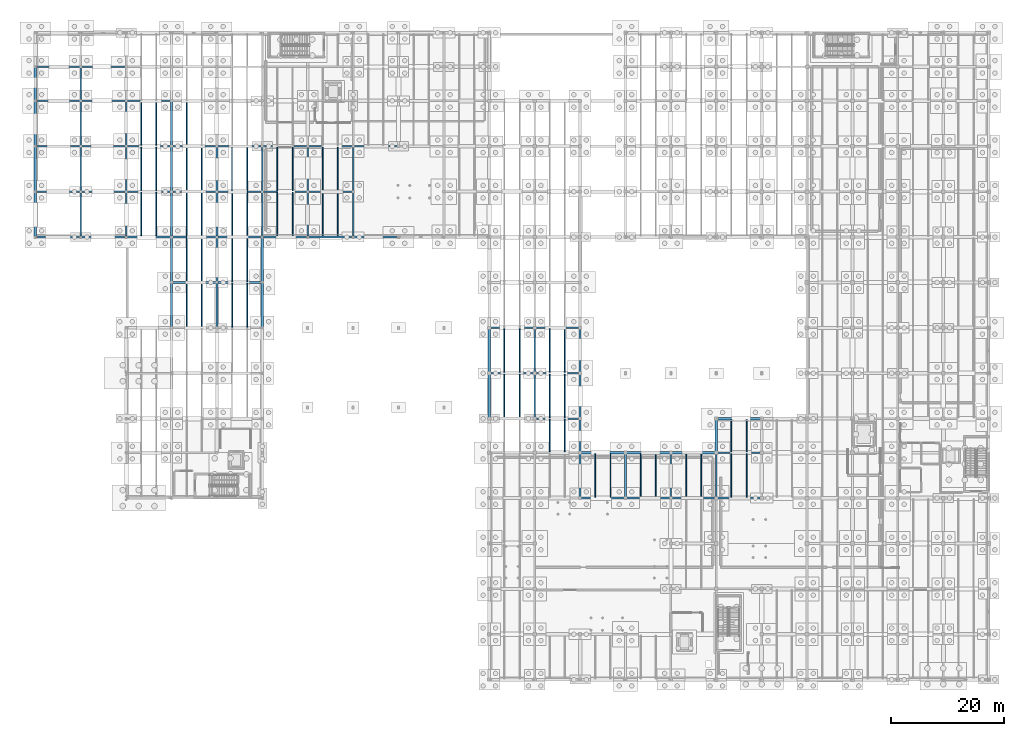
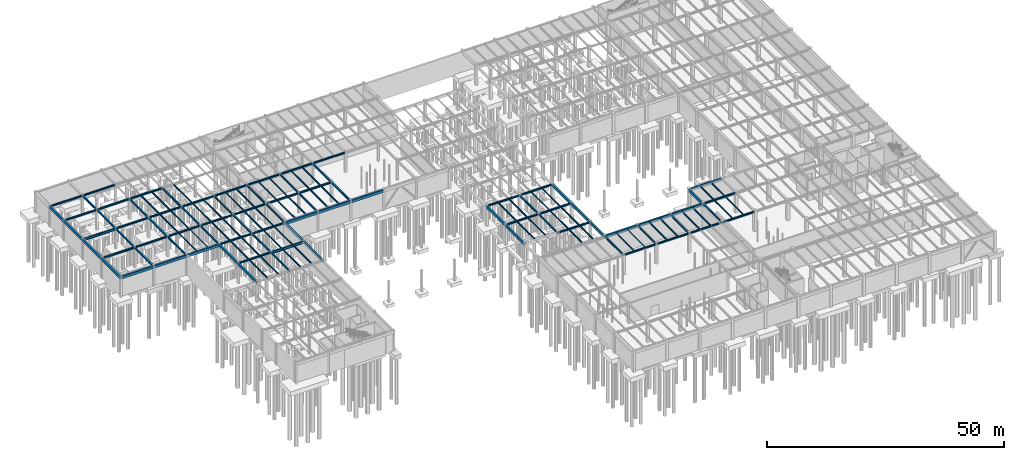
# One storey, part 25 of 71: 135 beams.
"""IFC4 building model written with IfcOpenShell, lengths in metres."""

from ifc_helpers import new_model, si_unit, direction, frame, origin, origin_2d, place, context, subcontext, project, spatial, rectangle, i_section, extrude, material, material_profile, profile_set, type_object, element, save


model = new_model("IFC4")

# Units and contexts
model_context = context("Model", 3, precision=1e-05, world=origin(), true_north=direction((0.0, 1.0)))
body_context = subcontext(model_context, "Body", "Model", "MODEL_VIEW")
ifc_project = project(units=[si_unit("LENGTHUNIT", "METRE"), si_unit("AREAUNIT", "SQUARE_METRE"), si_unit("VOLUMEUNIT", "CUBIC_METRE"), si_unit("PLANEANGLEUNIT", "RADIAN"), si_unit("MASSUNIT", "GRAM", prefix="KILO")], contexts=[model_context])

# Site, building, storey
site_placement = place(None, origin())
site = spatial("IfcSite", under=ifc_project, at=site_placement, CompositionType="ELEMENT")
building_placement = place(site_placement, origin())
building = spatial("IfcBuilding", under=site, at=building_placement, Name="Sundkrona Museum", CompositionType="ELEMENT")
storey_placement = place(building_placement, frame((0.0, 0.0, -5.39990234375)))
storey = spatial("IfcBuildingStorey", under=building, at=storey_placement, Name="B1", CompositionType="ELEMENT", Elevation=-5.39990234375)

# Beams
ifc_material_1 = material(Name="Steel S355J2", Category="steel")
ifc_material_profile_1 = material_profile(ifc_material_1, i_section(OverallWidth=0.300048828125, OverallDepth=0.639892578125, WebThickness=0.013427734375, FlangeThickness=0.02587890625, FilletRadius=0.027099609375, at=origin_2d()), Name="HEA 650")
ifc_profile_set_1 = profile_set([ifc_material_profile_1], Name="Steel S355J2")
beam_type_1 = type_object("IfcBeamType", Name="B-HEA650", PredefinedType="BEAM", material=ifc_profile_set_1)
beam_1_placement = place(storey_placement, frame((32.0, 70.0, 4.83984375), z_axis=(1.0, 0.0, 0.0), x_axis=(0.0, 1.0, 0.0)))
element("IfcBeam", 1, at=beam_1_placement, inside=storey, type_object=beam_type_1, Name="B1 Girder X-0090", PredefinedType="BEAM", context=body_context, shape_type="SweptSolid", body=[
    extrude(i_section(OverallWidth=0.300048828125, OverallDepth=0.639892578125, WebThickness=0.013427734375, FlangeThickness=0.02587890625, FilletRadius=0.027099609375, at=origin_2d()), origin(), (0.0, 0.0, 1.0), 8.0),
])
ifc_material_profile_2 = material_profile(ifc_material_1, i_section(OverallWidth=0.300048828125, OverallDepth=0.39990234375, WebThickness=0.013427734375, FlangeThickness=0.02392578125, FilletRadius=0.027099609375, at=origin_2d()), Name="HEB 400")
ifc_profile_set_2 = profile_set([ifc_material_profile_2], Name="Steel S355J2")
beam_type_2 = type_object("IfcBeamType", Name="B-HEB400", PredefinedType="BEAM", material=ifc_profile_set_2)
for number, where, z_axis, x_axis, name in (
    (2, (96.0, 32.0, 4.93994140625), (1.0, 0.0, 0.0), (0.0, 1.0, 0.0), "B1 Girder X-0040"),
    (3, (104.0, 32.0, 4.93994140625), (1.0, 0.0, 0.0), (0.0, 1.0, 0.0), "B1 Girder X-0041"),
    (4, (112.0, 32.0, 4.919921875), (1.0, 0.0, 0.0), (0.0, 1.0, 0.0), "B1 Girder X-0042"),
    (5, (120.0, 32.0, 4.919921875), (1.0, 0.0, 0.0), (0.0, 1.0, 0.0), "B1 Girder X-0043"),
    (6, (120.0, 40.0, 4.919921875), (1.0, 0.0, 0.0), (0.0, 1.0, 0.0), "B1 Girder X-0056"),
    (7, (88.0, 46.0, 4.93994140625), (1.0, 0.0, 0.0), (0.0, 1.0, 0.0), "B1 Girder X-0064"),
    (8, (80.0, 54.0, 4.93994140625), (1.0, 0.0, 0.0), (0.0, 1.0, 0.0), "B1 Girder X-0074"),
    (9, (88.0, 54.0, 4.93994140625), (1.0, 0.0, 0.0), (0.0, 1.0, 0.0), "B1 Girder X-0075"),
    (10, (80.0, 62.0, 4.93994140625), (1.0, 0.0, 0.0), (0.0, 1.0, 0.0), "B1 Girder X-0083"),
    (11, (88.0, 62.0, 4.93994140625), (1.0, 0.0, 0.0), (0.0, 1.0, 0.0), "B1 Girder X-0084"),
    (12, (24.0, 70.0, 4.9599609375), (1.0, 0.0, 0.0), (0.0, 1.0, 0.0), "B1 Girder X-0089"),
    (13, (24.0, 78.0, 4.9599609375), (1.0, 0.0, 0.0), (0.0, 1.0, 0.0), "B1 Girder X-0100"),
    (14, (32.0, 78.0, 4.9599609375), (1.0, 0.0, 0.0), (0.0, 1.0, 0.0), "B1 Girder X-0101"),
    (15, (8.0, 86.0, 4.9599609375), (1.0, 0.0, 0.0), (0.0, 1.0, 0.0), "B1 Girder X-0118"),
    (16, (16.0, 86.0, 4.9599609375), (1.0, 0.0, 0.0), (0.0, 1.0, 0.0), "B1 Girder X-0119"),
    (17, (24.0, 86.0, 4.9599609375), (1.0, 0.0, 0.0), (0.0, 1.0, 0.0), "B1 Girder X-0120"),
    (18, (32.0, 86.0, 4.9599609375), (1.0, 0.0, 0.0), (0.0, 1.0, 0.0), "B1 Girder X-0121"),
    (19, (40.0, 86.0, 4.9599609375), (1.0, 0.0, 0.0), (0.0, 1.0, 0.0), "B1 Girder X-0122"),
    (20, (48.0, 86.0, 4.9599609375), (1.0, 0.0, 0.0), (0.0, 1.0, 0.0), "B1 Girder X-0123"),
    (21, (8.0, 94.0, 4.9599609375), (1.0, 0.0, 0.0), (0.0, 1.0, 0.0), "B1 Girder X-0136"),
    (22, (16.0, 94.0, 4.9599609375), (1.0, 0.0, 0.0), (0.0, 1.0, 0.0), "B1 Girder X-0137"),
    (23, (24.0, 94.0, 4.9599609375), (1.0, 0.0, 0.0), (0.0, 1.0, 0.0), "B1 Girder X-0138"),
    (24, (32.0, 94.0, 4.9599609375), (1.0, 0.0, 0.0), (0.0, 1.0, 0.0), "B1 Girder X-0139"),
    (25, (40.0, 94.0, 4.9599609375), (1.0, 0.0, 0.0), (0.0, 1.0, 0.0), "B1 Girder X-0140"),
    (26, (48.0, 94.0, 4.9599609375), (1.0, 0.0, 0.0), (0.0, 1.0, 0.0), "B1 Girder X-0141"),
    (27, (56.0, 94.0, 4.9599609375), (1.0, 0.0, 0.0), (0.0, 1.0, 0.0), "B1 Girder X-0142"),
    (28, (0.0, 102.0, 4.9599609375), (1.0, 0.0, 0.0), (0.0, 1.0, 0.0), "B1 Girder X-0155"),
    (29, (8.0, 102.0, 4.9599609375), (1.0, 0.0, 0.0), (0.0, 1.0, 0.0), "B1 Girder X-0156"),
    (30, (16.0, 102.0, 4.9599609375), (1.0, 0.0, 0.0), (0.0, 1.0, 0.0), "B1 Girder X-0157"),
    (31, (0.0, 108.0, 4.9599609375), (1.0, 0.0, 0.0), (0.0, 1.0, 0.0), "B1 Girder X-0175"),
    (32, (8.0, 108.0, 4.9599609375), (1.0, 0.0, 0.0), (0.0, 1.0, 0.0), "B1 Girder X-0176"),
    (33, (8.0, 78.0, 4.9599609375), (0.0, 1.0, 0.0), (-1.0, 0.0, 0.0), "B1 Girder Y-0216"),
    (34, (8.0, 86.0, 4.9599609375), (0.0, 1.0, 0.0), (-1.0, 0.0, 0.0), "B1 Girder Y-0217"),
    (35, (8.0, 94.0, 4.9599609375), (0.0, 1.0, 0.0), (-1.0, 0.0, 0.0), "B1 Girder Y-0218"),
):
    element("IfcBeam", number, at=place(storey_placement, frame(where, z_axis=z_axis, x_axis=x_axis)), inside=storey, type_object=beam_type_2, Name=name, PredefinedType="BEAM", context=body_context, shape_type="SweptSolid", body=[
        extrude(i_section(OverallWidth=0.300048828125, OverallDepth=0.39990234375, WebThickness=0.013427734375, FlangeThickness=0.02392578125, FilletRadius=0.027099609375, at=origin_2d()), origin(), (0.0, 0.0, 1.0), 8.0),
    ])
beam_2_placement = place(storey_placement, frame((8.0, 102.0, 4.9599609375), z_axis=(0.0, 1.0, 0.0), x_axis=(-1.0, 0.0, 0.0)))
element("IfcBeam", 36, at=beam_2_placement, inside=storey, type_object=beam_type_2, Name="B1 Girder Y-0219", PredefinedType="BEAM", context=body_context, shape_type="SweptSolid", body=[
    extrude(i_section(OverallWidth=0.300048828125, OverallDepth=0.39990234375, WebThickness=0.013427734375, FlangeThickness=0.02392578125, FilletRadius=0.027099609375, at=origin_2d()), origin(), (0.0, 0.0, 1.0), 6.0),
])
for number, where, z_axis, x_axis, name in (
    (37, (16.0, 78.0, 4.9599609375), (0.0, 1.0, 0.0), (-1.0, 0.0, 0.0), "B1 Girder Y-0222"),
    (38, (16.0, 86.0, 4.9599609375), (0.0, 1.0, 0.0), (-1.0, 0.0, 0.0), "B1 Girder Y-0223"),
    (39, (16.0, 94.0, 4.9599609375), (0.0, 1.0, 0.0), (-1.0, 0.0, 0.0), "B1 Girder Y-0224"),
    (40, (24.0, 78.0, 4.9599609375), (0.0, 1.0, 0.0), (-1.0, 0.0, 0.0), "B1 Girder Y-0233"),
    (41, (24.0, 86.0, 4.9599609375), (0.0, 1.0, 0.0), (-1.0, 0.0, 0.0), "B1 Girder Y-0234"),
    (42, (24.0, 94.0, 4.9599609375), (0.0, 1.0, 0.0), (-1.0, 0.0, 0.0), "B1 Girder Y-0235"),
    (43, (32.0, 62.0, 4.9599609375), (0.0, 1.0, 0.0), (-1.0, 0.0, 0.0), "B1 Girder Y-0241"),
    (44, (32.0, 70.0, 4.9599609375), (0.0, 1.0, 0.0), (-1.0, 0.0, 0.0), "B1 Girder Y-0242"),
    (45, (32.0, 78.0, 4.9599609375), (0.0, 1.0, 0.0), (-1.0, 0.0, 0.0), "B1 Girder Y-0243"),
    (46, (32.0, 86.0, 4.9599609375), (0.0, 1.0, 0.0), (-1.0, 0.0, 0.0), "B1 Girder Y-0244"),
    (47, (40.0, 78.0, 4.9599609375), (0.0, 1.0, 0.0), (-1.0, 0.0, 0.0), "B1 Girder Y-0254"),
    (48, (40.0, 86.0, 4.9599609375), (0.0, 1.0, 0.0), (-1.0, 0.0, 0.0), "B1 Girder Y-0255"),
    (49, (48.0, 78.0, 4.9599609375), (0.0, 1.0, 0.0), (-1.0, 0.0, 0.0), "B1 Girder Y-0259"),
    (50, (48.0, 86.0, 4.9599609375), (0.0, 1.0, 0.0), (-1.0, 0.0, 0.0), "B1 Girder Y-0260"),
    (51, (56.0, 78.0, 4.9599609375), (0.0, 1.0, 0.0), (-1.0, 0.0, 0.0), "B1 Girder Y-0263"),
    (52, (56.0, 86.0, 4.9599609375), (0.0, 1.0, 0.0), (-1.0, 0.0, 0.0), "B1 Girder Y-0264"),
    (53, (88.0, 46.0, 4.93994140625), (0.0, 1.0, 0.0), (-1.0, 0.0, 0.0), "B1 Girder Y-0297"),
    (54, (88.0, 54.0, 4.93994140625), (0.0, 1.0, 0.0), (-1.0, 0.0, 0.0), "B1 Girder Y-0298"),
    (55, (96.0, 32.0, 4.93994140625), (0.0, 1.0, 0.0), (-1.0, 0.0, 0.0), "B1 Girder Y-0305"),
    (56, (104.0, 32.0, 4.93994140625), (0.0, 1.0, 0.0), (-1.0, 0.0, 0.0), "B1 Girder Y-0315"),
    (57, (112.0, 32.0, 4.93994140625), (0.0, 1.0, 0.0), (-1.0, 0.0, 0.0), "B1 Girder Y-0325"),
    (58, (120.0, 32.0, 4.919921875), (0.0, 1.0, 0.0), (-1.0, 0.0, 0.0), "B1 Girder Y-0335"),
):
    element("IfcBeam", number, at=place(storey_placement, frame(where, z_axis=z_axis, x_axis=x_axis)), inside=storey, type_object=beam_type_2, Name=name, PredefinedType="BEAM", context=body_context, shape_type="SweptSolid", body=[
        extrude(i_section(OverallWidth=0.300048828125, OverallDepth=0.39990234375, WebThickness=0.013427734375, FlangeThickness=0.02392578125, FilletRadius=0.027099609375, at=origin_2d()), origin(), (0.0, 0.0, 1.0), 8.0),
    ])
ifc_material_profile_3 = material_profile(ifc_material_1, i_section(OverallWidth=0.300048828125, OverallDepth=0.449951171875, WebThickness=0.013916015625, FlangeThickness=0.02587890625, FilletRadius=0.027099609375, at=origin_2d()), Name="HEB 450")
ifc_profile_set_3 = profile_set([ifc_material_profile_3], Name="Steel S355J2")
beam_type_3 = type_object("IfcBeamType", Name="B-HEB450", PredefinedType="BEAM", material=ifc_profile_set_3)
beam_3_placement = place(storey_placement, frame((0.0, 86.0, 4.934814453125), z_axis=(1.0, 0.0, 0.0), x_axis=(0.0, 1.0, 0.0)))
element("IfcBeam", 59, at=beam_3_placement, inside=storey, type_object=beam_type_3, Name="B1 Girder X-0117", PredefinedType="BEAM", context=body_context, shape_type="SweptSolid", body=[
    extrude(i_section(OverallWidth=0.300048828125, OverallDepth=0.449951171875, WebThickness=0.013916015625, FlangeThickness=0.02587890625, FilletRadius=0.027099609375, at=origin_2d()), origin(), (0.0, 0.0, 1.0), 8.0),
])
ifc_material_profile_4 = material_profile(ifc_material_1, i_section(OverallWidth=0.300048828125, OverallDepth=0.60009765625, WebThickness=0.015380859375, FlangeThickness=0.030029296875, FilletRadius=0.027099609375, at=origin_2d()), Name="HEB 600")
ifc_profile_set_4 = profile_set([ifc_material_profile_4], Name="Steel S355J2")
beam_type_4 = type_object("IfcBeamType", Name="B-HEB600", PredefinedType="BEAM", material=ifc_profile_set_4)
beam_4_placement = place(storey_placement, frame((0.0, 94.0, 4.85986328125), z_axis=(1.0, 0.0, 0.0), x_axis=(0.0, 1.0, 0.0)))
element("IfcBeam", 60, at=beam_4_placement, inside=storey, type_object=beam_type_4, Name="B1 Girder X-0135", PredefinedType="BEAM", context=body_context, shape_type="SweptSolid", body=[
    extrude(i_section(OverallWidth=0.300048828125, OverallDepth=0.60009765625, WebThickness=0.015380859375, FlangeThickness=0.030029296875, FilletRadius=0.027099609375, at=origin_2d()), origin(), (0.0, 0.0, 1.0), 8.0),
])
ifc_material_2 = material(Name="Concrete C40/50", Category="concrete")
ifc_material_profile_5 = material_profile(ifc_material_2, rectangle(XDim=0.39990234375, YDim=0.64990234375, at=origin_2d()), Name="RCB 400x650")
ifc_profile_set_5 = profile_set([ifc_material_profile_5], Name="Concrete C40/50")
beam_type_5 = type_object("IfcBeamType", Name="B-RC400", PredefinedType="BEAM", material=ifc_profile_set_5)
for number, where, z_axis, x_axis, name in (
    (61, (96.0, 40.0, 4.81494140625), (1.0, 0.0, 0.0), (0.0, 1.0, 0.0), "B1 Girder X-0053"),
    (62, (104.0, 40.0, 4.81494140625), (1.0, 0.0, 0.0), (0.0, 1.0, 0.0), "B1 Girder X-0054"),
    (63, (112.0, 40.0, 4.794921875), (1.0, 0.0, 0.0), (0.0, 1.0, 0.0), "B1 Girder X-0055"),
    (64, (120.0, 46.0, 4.794921875), (1.0, 0.0, 0.0), (0.0, 1.0, 0.0), "B1 Girder X-0065"),
    (65, (0.0, 78.0, 4.8349609375), (1.0, 0.0, 0.0), (0.0, 1.0, 0.0), "B1 Girder X-0097"),
    (66, (8.0, 78.0, 4.8349609375), (1.0, 0.0, 0.0), (0.0, 1.0, 0.0), "B1 Girder X-0098"),
    (67, (16.0, 78.0, 4.8349609375), (1.0, 0.0, 0.0), (0.0, 1.0, 0.0), "B1 Girder X-0099"),
    (68, (40.0, 78.0, 4.8349609375), (1.0, 0.0, 0.0), (0.0, 1.0, 0.0), "B1 Girder X-0102"),
    (69, (48.0, 78.0, 4.8349609375), (1.0, 0.0, 0.0), (0.0, 1.0, 0.0), "B1 Girder X-0103"),
    (70, (56.0, 78.0, 4.8349609375), (1.0, 0.0, 0.0), (0.0, 1.0, 0.0), "B1 Girder X-0104"),
    (71, (0.0, 78.0, 4.8349609375), (0.0, 1.0, 0.0), (-1.0, 0.0, 0.0), "B1 Girder Y-0211"),
    (72, (0.0, 86.0, 4.8349609375), (0.0, 1.0, 0.0), (-1.0, 0.0, 0.0), "B1 Girder Y-0212"),
    (73, (0.0, 94.0, 4.8349609375), (0.0, 1.0, 0.0), (-1.0, 0.0, 0.0), "B1 Girder Y-0213"),
):
    element("IfcBeam", number, at=place(storey_placement, frame(where, z_axis=z_axis, x_axis=x_axis)), inside=storey, type_object=beam_type_5, Name=name, PredefinedType="BEAM", context=body_context, shape_type="SweptSolid", body=[
        extrude(rectangle(XDim=0.39990234375, YDim=0.64990234375, at=origin_2d()), origin(), (0.0, 0.0, 1.0), 8.0),
    ])
beam_5_placement = place(storey_placement, frame((0.0, 102.0, 4.8349609375), z_axis=(0.0, 1.0, 0.0), x_axis=(-1.0, 0.0, 0.0)))
element("IfcBeam", 74, at=beam_5_placement, inside=storey, type_object=beam_type_5, Name="B1 Girder Y-0214", PredefinedType="BEAM", context=body_context, shape_type="SweptSolid", body=[
    extrude(rectangle(XDim=0.39990234375, YDim=0.64990234375, at=origin_2d()), origin(), (0.0, 0.0, 1.0), 6.0),
])
for number, where, z_axis, x_axis, name in (
    (75, (24.0, 62.0, 4.81494140625), (0.0, 1.0, 0.0), (-1.0, 0.0, 0.0), "B1 Girder Y-0231"),
    (76, (24.0, 70.0, 4.8349609375), (0.0, 1.0, 0.0), (-1.0, 0.0, 0.0), "B1 Girder Y-0232"),
    (77, (40.0, 62.0, 4.8349609375), (0.0, 1.0, 0.0), (-1.0, 0.0, 0.0), "B1 Girder Y-0252"),
    (78, (40.0, 70.0, 4.8349609375), (0.0, 1.0, 0.0), (-1.0, 0.0, 0.0), "B1 Girder Y-0253"),
    (79, (80.0, 46.0, 4.81494140625), (0.0, 1.0, 0.0), (-1.0, 0.0, 0.0), "B1 Girder Y-0282"),
    (80, (80.0, 54.0, 4.81494140625), (0.0, 1.0, 0.0), (-1.0, 0.0, 0.0), "B1 Girder Y-0283"),
):
    element("IfcBeam", number, at=place(storey_placement, frame(where, z_axis=z_axis, x_axis=x_axis)), inside=storey, type_object=beam_type_5, Name=name, PredefinedType="BEAM", context=body_context, shape_type="SweptSolid", body=[
        extrude(rectangle(XDim=0.39990234375, YDim=0.64990234375, at=origin_2d()), origin(), (0.0, 0.0, 1.0), 8.0),
    ])
beam_6_placement = place(storey_placement, frame((96.0, 40.0, 4.81494140625), z_axis=(0.0, 1.0, 0.0), x_axis=(-1.0, 0.0, 0.0)))
element("IfcBeam", 81, at=beam_6_placement, inside=storey, type_object=beam_type_5, Name="B1 Girder Y-0306", PredefinedType="BEAM", context=body_context, shape_type="SweptSolid", body=[
    extrude(rectangle(XDim=0.39990234375, YDim=0.64990234375, at=origin_2d()), origin(), (0.0, 0.0, 1.0), 6.0),
])
for number, where, z_axis, x_axis, name in (
    (82, (96.0, 46.0, 4.81494140625), (0.0, 1.0, 0.0), (-1.0, 0.0, 0.0), "B1 Girder Y-0307"),
    (83, (96.0, 54.0, 4.81494140625), (0.0, 1.0, 0.0), (-1.0, 0.0, 0.0), "B1 Girder Y-0308"),
):
    element("IfcBeam", number, at=place(storey_placement, frame(where, z_axis=z_axis, x_axis=x_axis)), inside=storey, type_object=beam_type_5, Name=name, PredefinedType="BEAM", context=body_context, shape_type="SweptSolid", body=[
        extrude(rectangle(XDim=0.39990234375, YDim=0.64990234375, at=origin_2d()), origin(), (0.0, 0.0, 1.0), 8.0),
    ])
beam_7_placement = place(storey_placement, frame((120.0, 40.0, 4.794921875), z_axis=(0.0, 1.0, 0.0), x_axis=(-1.0, 0.0, 0.0)))
element("IfcBeam", 84, at=beam_7_placement, inside=storey, type_object=beam_type_5, Name="B1 Girder Y-0336", PredefinedType="BEAM", context=body_context, shape_type="SweptSolid", body=[
    extrude(rectangle(XDim=0.39990234375, YDim=0.64990234375, at=origin_2d()), origin(), (0.0, 0.0, 1.0), 6.0),
])
ifc_material_profile_6 = material_profile(ifc_material_1, i_section(OverallWidth=0.1201171875, OverallDepth=0.239990234375, WebThickness=0.006103515625, FlangeThickness=0.009765625, FilletRadius=0.014892578125, at=origin_2d()), Name="IPE 240")
ifc_profile_set_6 = profile_set([ifc_material_profile_6], Name="Steel S355J2")
beam_type_6 = type_object("IfcBeamType", Name="J-IPE240", PredefinedType="JOIST", material=ifc_profile_set_6)
beam_8_placement = place(storey_placement, frame((101.333251953125, 32.14404296875, 5.02001953125), z_axis=(0.0, 1.0, 0.0), x_axis=(-1.0, 0.0, 0.0)))
element("IfcBeam", 85, at=beam_8_placement, inside=storey, type_object=beam_type_6, Name="B1 Composite Joist 0145", PredefinedType="JOIST", context=body_context, shape_type="SweptSolid", body=[
    extrude(i_section(OverallWidth=0.1201171875, OverallDepth=0.239990234375, WebThickness=0.006103515625, FlangeThickness=0.009765625, FilletRadius=0.014892578125, at=origin_2d()), origin(), (0.0, 0.0, 1.0), 7.661865234375),
])
ifc_material_profile_7 = material_profile(ifc_material_1, i_section(OverallWidth=0.135009765625, OverallDepth=0.27001953125, WebThickness=0.006591796875, FlangeThickness=0.01025390625, FilletRadius=0.014892578125, at=origin_2d()), Name="IPE 270")
ifc_profile_set_7 = profile_set([ifc_material_profile_7], Name="Steel S355J2")
beam_type_7 = type_object("IfcBeamType", Name="J-IPE270", PredefinedType="JOIST", material=ifc_profile_set_7)
beam_9_placement = place(storey_placement, frame((21.333251953125, 78.194091796875, 5.02490234375), z_axis=(0.0, 1.0, 0.0), x_axis=(-1.0, 0.0, 0.0)))
element("IfcBeam", 86, at=beam_9_placement, inside=storey, type_object=beam_type_7, Name="B1 Composite Joist 0010", PredefinedType="JOIST", context=body_context, shape_type="SweptSolid", body=[
    extrude(i_section(OverallWidth=0.135009765625, OverallDepth=0.27001953125, WebThickness=0.006591796875, FlangeThickness=0.01025390625, FilletRadius=0.014892578125, at=origin_2d()), origin(), (0.0, 0.0, 1.0), 7.661865234375),
])
for number, where, z_axis, x_axis, name in (
    (87, (34.666748046875, 86.14404296875, 5.02490234375), (0.0, 1.0, 0.0), (-1.0, 0.0, 0.0), "B1 Composite Joist 0050"),
    (88, (90.666748046875, 54.14404296875, 5.0048828125), (0.0, 1.0, 0.0), (-1.0, 0.0, 0.0), "B1 Composite Joist 0130"),
):
    element("IfcBeam", number, at=place(storey_placement, frame(where, z_axis=z_axis, x_axis=x_axis)), inside=storey, type_object=beam_type_7, Name=name, PredefinedType="JOIST", context=body_context, shape_type="SweptSolid", body=[
        extrude(i_section(OverallWidth=0.135009765625, OverallDepth=0.27001953125, WebThickness=0.006591796875, FlangeThickness=0.01025390625, FilletRadius=0.014892578125, at=origin_2d()), origin(), (0.0, 0.0, 1.0), 7.7119140625),
    ])
ifc_material_profile_8 = material_profile(ifc_material_1, i_section(OverallWidth=0.159912109375, OverallDepth=0.330078125, WebThickness=0.007568359375, FlangeThickness=0.011474609375, FilletRadius=0.01806640625, at=origin_2d()), Name="IPE 330")
ifc_profile_set_8 = profile_set([ifc_material_profile_8], Name="Steel S355J2")
beam_type_8 = type_object("IfcBeamType", Name="J-IPE330", PredefinedType="JOIST", material=ifc_profile_set_8)
beam_10_placement = place(storey_placement, frame((42.666748046875, 86.14404296875, 4.994873046875), z_axis=(0.0, 1.0, 0.0), x_axis=(-1.0, 0.0, 0.0)))
element("IfcBeam", 89, at=beam_10_placement, inside=storey, type_object=beam_type_8, Name="B1 Composite Joist 0060", PredefinedType="JOIST", context=body_context, shape_type="SweptSolid", body=[
    extrude(i_section(OverallWidth=0.159912109375, OverallDepth=0.330078125, WebThickness=0.007568359375, FlangeThickness=0.011474609375, FilletRadius=0.01806640625, at=origin_2d()), origin(), (0.0, 0.0, 1.0), 7.7119140625),
])
ifc_material_profile_9 = material_profile(ifc_material_1, i_section(OverallWidth=0.169921875, OverallDepth=0.360107421875, WebThickness=0.008056640625, FlangeThickness=0.0126953125, FilletRadius=0.01806640625, at=origin_2d()), Name="IPE 360")
ifc_profile_set_9 = profile_set([ifc_material_profile_9], Name="Steel S355J2")
beam_type_9 = type_object("IfcBeamType", Name="J-IPE360", PredefinedType="JOIST", material=ifc_profile_set_9)
beam_11_placement = place(storey_placement, frame((18.666748046875, 78.194091796875, 4.97998046875), z_axis=(0.0, 1.0, 0.0), x_axis=(-1.0, 0.0, 0.0)))
element("IfcBeam", 90, at=beam_11_placement, inside=storey, type_object=beam_type_9, Name="B1 Composite Joist 0009", PredefinedType="JOIST", context=body_context, shape_type="SweptSolid", body=[
    extrude(i_section(OverallWidth=0.169921875, OverallDepth=0.360107421875, WebThickness=0.008056640625, FlangeThickness=0.0126953125, FilletRadius=0.01806640625, at=origin_2d()), origin(), (0.0, 0.0, 1.0), 7.661865234375),
])
for number, where, z_axis, x_axis, name in (
    (91, (18.666748046875, 86.14404296875, 4.97998046875), (0.0, 1.0, 0.0), (-1.0, 0.0, 0.0), "B1 Composite Joist 0011"),
    (92, (21.333251953125, 86.14404296875, 4.97998046875), (0.0, 1.0, 0.0), (-1.0, 0.0, 0.0), "B1 Composite Joist 0012"),
    (93, (18.666748046875, 94.14404296875, 4.97998046875), (0.0, 1.0, 0.0), (-1.0, 0.0, 0.0), "B1 Composite Joist 0013"),
    (94, (21.333251953125, 94.14404296875, 4.97998046875), (0.0, 1.0, 0.0), (-1.0, 0.0, 0.0), "B1 Composite Joist 0014"),
):
    element("IfcBeam", number, at=place(storey_placement, frame(where, z_axis=z_axis, x_axis=x_axis)), inside=storey, type_object=beam_type_9, Name=name, PredefinedType="JOIST", context=body_context, shape_type="SweptSolid", body=[
        extrude(i_section(OverallWidth=0.169921875, OverallDepth=0.360107421875, WebThickness=0.008056640625, FlangeThickness=0.0126953125, FilletRadius=0.01806640625, at=origin_2d()), origin(), (0.0, 0.0, 1.0), 7.7119140625),
    ])
for number, where, z_axis, x_axis, name in (
    (95, (26.666748046875, 62.14404296875, 4.9599609375), (0.0, 1.0, 0.0), (-1.0, 0.0, 0.0), "B1 Composite Joist 0026"),
    (96, (29.333251953125, 62.14404296875, 4.9599609375), (0.0, 1.0, 0.0), (-1.0, 0.0, 0.0), "B1 Composite Joist 0027"),
):
    element("IfcBeam", number, at=place(storey_placement, frame(where, z_axis=z_axis, x_axis=x_axis)), inside=storey, type_object=beam_type_9, Name=name, PredefinedType="JOIST", context=body_context, shape_type="SweptSolid", body=[
        extrude(i_section(OverallWidth=0.169921875, OverallDepth=0.360107421875, WebThickness=0.008056640625, FlangeThickness=0.0126953125, FilletRadius=0.01806640625, at=origin_2d()), origin(), (0.0, 0.0, 1.0), 7.841064453125),
    ])
for number, where, z_axis, x_axis, name in (
    (97, (26.666748046875, 70.14404296875, 4.97998046875), (0.0, 1.0, 0.0), (-1.0, 0.0, 0.0), "B1 Composite Joist 0028"),
    (98, (29.333251953125, 70.14404296875, 4.97998046875), (0.0, 1.0, 0.0), (-1.0, 0.0, 0.0), "B1 Composite Joist 0029"),
    (99, (29.333251953125, 78.14404296875, 4.97998046875), (0.0, 1.0, 0.0), (-1.0, 0.0, 0.0), "B1 Composite Joist 0031"),
    (100, (26.666748046875, 86.14404296875, 4.97998046875), (0.0, 1.0, 0.0), (-1.0, 0.0, 0.0), "B1 Composite Joist 0032"),
    (101, (29.333251953125, 86.14404296875, 4.97998046875), (0.0, 1.0, 0.0), (-1.0, 0.0, 0.0), "B1 Composite Joist 0033"),
    (102, (26.666748046875, 94.14404296875, 4.97998046875), (0.0, 1.0, 0.0), (-1.0, 0.0, 0.0), "B1 Composite Joist 0034"),
    (103, (34.666748046875, 62.14404296875, 4.97998046875), (0.0, 1.0, 0.0), (-1.0, 0.0, 0.0), "B1 Composite Joist 0044"),
    (104, (37.333251953125, 62.14404296875, 4.97998046875), (0.0, 1.0, 0.0), (-1.0, 0.0, 0.0), "B1 Composite Joist 0045"),
    (105, (34.666748046875, 70.14404296875, 4.97998046875), (0.0, 1.0, 0.0), (-1.0, 0.0, 0.0), "B1 Composite Joist 0046"),
    (106, (37.333251953125, 70.14404296875, 4.97998046875), (0.0, 1.0, 0.0), (-1.0, 0.0, 0.0), "B1 Composite Joist 0047"),
    (107, (34.666748046875, 78.14404296875, 4.97998046875), (0.0, 1.0, 0.0), (-1.0, 0.0, 0.0), "B1 Composite Joist 0048"),
    (108, (37.333251953125, 78.14404296875, 4.97998046875), (0.0, 1.0, 0.0), (-1.0, 0.0, 0.0), "B1 Composite Joist 0049"),
    (109, (37.333251953125, 86.14404296875, 4.97998046875), (0.0, 1.0, 0.0), (-1.0, 0.0, 0.0), "B1 Composite Joist 0051"),
):
    element("IfcBeam", number, at=place(storey_placement, frame(where, z_axis=z_axis, x_axis=x_axis)), inside=storey, type_object=beam_type_9, Name=name, PredefinedType="JOIST", context=body_context, shape_type="SweptSolid", body=[
        extrude(i_section(OverallWidth=0.169921875, OverallDepth=0.360107421875, WebThickness=0.008056640625, FlangeThickness=0.0126953125, FilletRadius=0.01806640625, at=origin_2d()), origin(), (0.0, 0.0, 1.0), 7.7119140625),
    ])
for number, where, z_axis, x_axis, name in (
    (110, (42.666748046875, 78.194091796875, 4.97998046875), (0.0, 1.0, 0.0), (-1.0, 0.0, 0.0), "B1 Composite Joist 0058"),
    (111, (45.333251953125, 78.194091796875, 4.97998046875), (0.0, 1.0, 0.0), (-1.0, 0.0, 0.0), "B1 Composite Joist 0059"),
):
    element("IfcBeam", number, at=place(storey_placement, frame(where, z_axis=z_axis, x_axis=x_axis)), inside=storey, type_object=beam_type_9, Name=name, PredefinedType="JOIST", context=body_context, shape_type="SweptSolid", body=[
        extrude(i_section(OverallWidth=0.169921875, OverallDepth=0.360107421875, WebThickness=0.008056640625, FlangeThickness=0.0126953125, FilletRadius=0.01806640625, at=origin_2d()), origin(), (0.0, 0.0, 1.0), 7.661865234375),
    ])
beam_12_placement = place(storey_placement, frame((45.333251953125, 86.14404296875, 4.97998046875), z_axis=(0.0, 1.0, 0.0), x_axis=(-1.0, 0.0, 0.0)))
element("IfcBeam", 112, at=beam_12_placement, inside=storey, type_object=beam_type_9, Name="B1 Composite Joist 0061", PredefinedType="JOIST", context=body_context, shape_type="SweptSolid", body=[
    extrude(i_section(OverallWidth=0.169921875, OverallDepth=0.360107421875, WebThickness=0.008056640625, FlangeThickness=0.0126953125, FilletRadius=0.01806640625, at=origin_2d()), origin(), (0.0, 0.0, 1.0), 7.7119140625),
])
for number, where, z_axis, x_axis, name in (
    (113, (50.666748046875, 78.194091796875, 4.97998046875), (0.0, 1.0, 0.0), (-1.0, 0.0, 0.0), "B1 Composite Joist 0066"),
    (114, (53.333251953125, 78.194091796875, 4.97998046875), (0.0, 1.0, 0.0), (-1.0, 0.0, 0.0), "B1 Composite Joist 0067"),
):
    element("IfcBeam", number, at=place(storey_placement, frame(where, z_axis=z_axis, x_axis=x_axis)), inside=storey, type_object=beam_type_9, Name=name, PredefinedType="JOIST", context=body_context, shape_type="SweptSolid", body=[
        extrude(i_section(OverallWidth=0.169921875, OverallDepth=0.360107421875, WebThickness=0.008056640625, FlangeThickness=0.0126953125, FilletRadius=0.01806640625, at=origin_2d()), origin(), (0.0, 0.0, 1.0), 7.661865234375),
    ])
for number, where, z_axis, x_axis, name in (
    (115, (50.666748046875, 86.14404296875, 4.97998046875), (0.0, 1.0, 0.0), (-1.0, 0.0, 0.0), "B1 Composite Joist 0068"),
    (116, (53.333251953125, 86.14404296875, 4.97998046875), (0.0, 1.0, 0.0), (-1.0, 0.0, 0.0), "B1 Composite Joist 0069"),
):
    element("IfcBeam", number, at=place(storey_placement, frame(where, z_axis=z_axis, x_axis=x_axis)), inside=storey, type_object=beam_type_9, Name=name, PredefinedType="JOIST", context=body_context, shape_type="SweptSolid", body=[
        extrude(i_section(OverallWidth=0.169921875, OverallDepth=0.360107421875, WebThickness=0.008056640625, FlangeThickness=0.0126953125, FilletRadius=0.01806640625, at=origin_2d()), origin(), (0.0, 0.0, 1.0), 7.7119140625),
    ])
for number, where, z_axis, x_axis, name in (
    (117, (82.666748046875, 46.243896484375, 4.9599609375), (0.0, 1.0, 0.0), (-1.0, 0.0, 0.0), "B1 Composite Joist 0108"),
    (118, (85.333251953125, 46.243896484375, 4.9599609375), (0.0, 1.0, 0.0), (-1.0, 0.0, 0.0), "B1 Composite Joist 0109"),
):
    element("IfcBeam", number, at=place(storey_placement, frame(where, z_axis=z_axis, x_axis=x_axis)), inside=storey, type_object=beam_type_9, Name=name, PredefinedType="JOIST", context=body_context, shape_type="SweptSolid", body=[
        extrude(i_section(OverallWidth=0.169921875, OverallDepth=0.360107421875, WebThickness=0.008056640625, FlangeThickness=0.0126953125, FilletRadius=0.01806640625, at=origin_2d()), origin(), (0.0, 0.0, 1.0), 7.612060546875),
    ])
beam_13_placement = place(storey_placement, frame((85.333251953125, 54.14404296875, 4.9599609375), z_axis=(0.0, 1.0, 0.0), x_axis=(-1.0, 0.0, 0.0)))
element("IfcBeam", 119, at=beam_13_placement, inside=storey, type_object=beam_type_9, Name="B1 Composite Joist 0111", PredefinedType="JOIST", context=body_context, shape_type="SweptSolid", body=[
    extrude(i_section(OverallWidth=0.169921875, OverallDepth=0.360107421875, WebThickness=0.008056640625, FlangeThickness=0.0126953125, FilletRadius=0.01806640625, at=origin_2d()), origin(), (0.0, 0.0, 1.0), 7.7119140625),
])
for number, where, z_axis, x_axis, name in (
    (120, (90.666748046875, 40.14404296875, 4.9599609375), (0.0, 1.0, 0.0), (-1.0, 0.0, 0.0), "B1 Composite Joist 0126"),
    (121, (93.333251953125, 40.14404296875, 4.9599609375), (0.0, 1.0, 0.0), (-1.0, 0.0, 0.0), "B1 Composite Joist 0127"),
):
    element("IfcBeam", number, at=place(storey_placement, frame(where, z_axis=z_axis, x_axis=x_axis)), inside=storey, type_object=beam_type_9, Name=name, PredefinedType="JOIST", context=body_context, shape_type="SweptSolid", body=[
        extrude(i_section(OverallWidth=0.169921875, OverallDepth=0.360107421875, WebThickness=0.008056640625, FlangeThickness=0.0126953125, FilletRadius=0.01806640625, at=origin_2d()), origin(), (0.0, 0.0, 1.0), 5.7119140625),
    ])
for number, where, z_axis, x_axis, name in (
    (122, (90.666748046875, 46.14404296875, 4.9599609375), (0.0, 1.0, 0.0), (-1.0, 0.0, 0.0), "B1 Composite Joist 0128"),
    (123, (93.333251953125, 46.14404296875, 4.9599609375), (0.0, 1.0, 0.0), (-1.0, 0.0, 0.0), "B1 Composite Joist 0129"),
    (124, (93.333251953125, 54.14404296875, 4.9599609375), (0.0, 1.0, 0.0), (-1.0, 0.0, 0.0), "B1 Composite Joist 0131"),
):
    element("IfcBeam", number, at=place(storey_placement, frame(where, z_axis=z_axis, x_axis=x_axis)), inside=storey, type_object=beam_type_9, Name=name, PredefinedType="JOIST", context=body_context, shape_type="SweptSolid", body=[
        extrude(i_section(OverallWidth=0.169921875, OverallDepth=0.360107421875, WebThickness=0.008056640625, FlangeThickness=0.0126953125, FilletRadius=0.01806640625, at=origin_2d()), origin(), (0.0, 0.0, 1.0), 7.7119140625),
    ])
for number, where, z_axis, x_axis, name in (
    (125, (98.666748046875, 32.14404296875, 4.9599609375), (0.0, 1.0, 0.0), (-1.0, 0.0, 0.0), "B1 Composite Joist 0144"),
    (126, (106.666748046875, 32.14404296875, 4.9599609375), (0.0, 1.0, 0.0), (-1.0, 0.0, 0.0), "B1 Composite Joist 0148"),
    (127, (109.333251953125, 32.14404296875, 4.9599609375), (0.0, 1.0, 0.0), (-1.0, 0.0, 0.0), "B1 Composite Joist 0149"),
    (128, (114.666748046875, 32.14404296875, 4.93994140625), (0.0, 1.0, 0.0), (-1.0, 0.0, 0.0), "B1 Composite Joist 0164"),
    (129, (117.333251953125, 32.14404296875, 4.93994140625), (0.0, 1.0, 0.0), (-1.0, 0.0, 0.0), "B1 Composite Joist 0165"),
):
    element("IfcBeam", number, at=place(storey_placement, frame(where, z_axis=z_axis, x_axis=x_axis)), inside=storey, type_object=beam_type_9, Name=name, PredefinedType="JOIST", context=body_context, shape_type="SweptSolid", body=[
        extrude(i_section(OverallWidth=0.169921875, OverallDepth=0.360107421875, WebThickness=0.008056640625, FlangeThickness=0.0126953125, FilletRadius=0.01806640625, at=origin_2d()), origin(), (0.0, 0.0, 1.0), 7.661865234375),
    ])
for number, where, z_axis, x_axis, name in (
    (130, (122.666748046875, 32.14404296875, 4.93994140625), (0.0, 1.0, 0.0), (-1.0, 0.0, 0.0), "B1 Composite Joist 0176"),
    (131, (125.333251953125, 32.14404296875, 4.93994140625), (0.0, 1.0, 0.0), (-1.0, 0.0, 0.0), "B1 Composite Joist 0177"),
):
    element("IfcBeam", number, at=place(storey_placement, frame(where, z_axis=z_axis, x_axis=x_axis)), inside=storey, type_object=beam_type_9, Name=name, PredefinedType="JOIST", context=body_context, shape_type="SweptSolid", body=[
        extrude(i_section(OverallWidth=0.169921875, OverallDepth=0.360107421875, WebThickness=0.008056640625, FlangeThickness=0.0126953125, FilletRadius=0.01806640625, at=origin_2d()), origin(), (0.0, 0.0, 1.0), 7.7119140625),
    ])
for number, where, z_axis, x_axis, name in (
    (132, (122.666748046875, 40.14404296875, 4.93994140625), (0.0, 1.0, 0.0), (-1.0, 0.0, 0.0), "B1 Composite Joist 0178"),
    (133, (125.333251953125, 40.14404296875, 4.93994140625), (0.0, 1.0, 0.0), (-1.0, 0.0, 0.0), "B1 Composite Joist 0179"),
):
    element("IfcBeam", number, at=place(storey_placement, frame(where, z_axis=z_axis, x_axis=x_axis)), inside=storey, type_object=beam_type_9, Name=name, PredefinedType="JOIST", context=body_context, shape_type="SweptSolid", body=[
        extrude(i_section(OverallWidth=0.169921875, OverallDepth=0.360107421875, WebThickness=0.008056640625, FlangeThickness=0.0126953125, FilletRadius=0.01806640625, at=origin_2d()), origin(), (0.0, 0.0, 1.0), 5.661865234375),
    ])
ifc_material_profile_10 = material_profile(ifc_material_1, i_section(OverallWidth=0.179931640625, OverallDepth=0.39990234375, WebThickness=0.008544921875, FlangeThickness=0.013427734375, FilletRadius=0.02099609375, at=origin_2d()), Name="IPE 400")
ifc_profile_set_10 = profile_set([ifc_material_profile_10], Name="Steel S355J2")
beam_type_10 = type_object("IfcBeamType", Name="J-IPE400", PredefinedType="JOIST", material=ifc_profile_set_10)
for number, where, z_axis, x_axis, name in (
    (134, (26.666748046875, 78.14404296875, 4.9599609375), (0.0, 1.0, 0.0), (-1.0, 0.0, 0.0), "B1 Composite Joist 0030"),
    (135, (82.666748046875, 54.14404296875, 4.93994140625), (0.0, 1.0, 0.0), (-1.0, 0.0, 0.0), "B1 Composite Joist 0110"),
):
    element("IfcBeam", number, at=place(storey_placement, frame(where, z_axis=z_axis, x_axis=x_axis)), inside=storey, type_object=beam_type_10, Name=name, PredefinedType="JOIST", context=body_context, shape_type="SweptSolid", body=[
        extrude(i_section(OverallWidth=0.179931640625, OverallDepth=0.39990234375, WebThickness=0.008544921875, FlangeThickness=0.013427734375, FilletRadius=0.02099609375, at=origin_2d()), origin(), (0.0, 0.0, 1.0), 7.7119140625),
    ])

save(model, "model.ifc")
